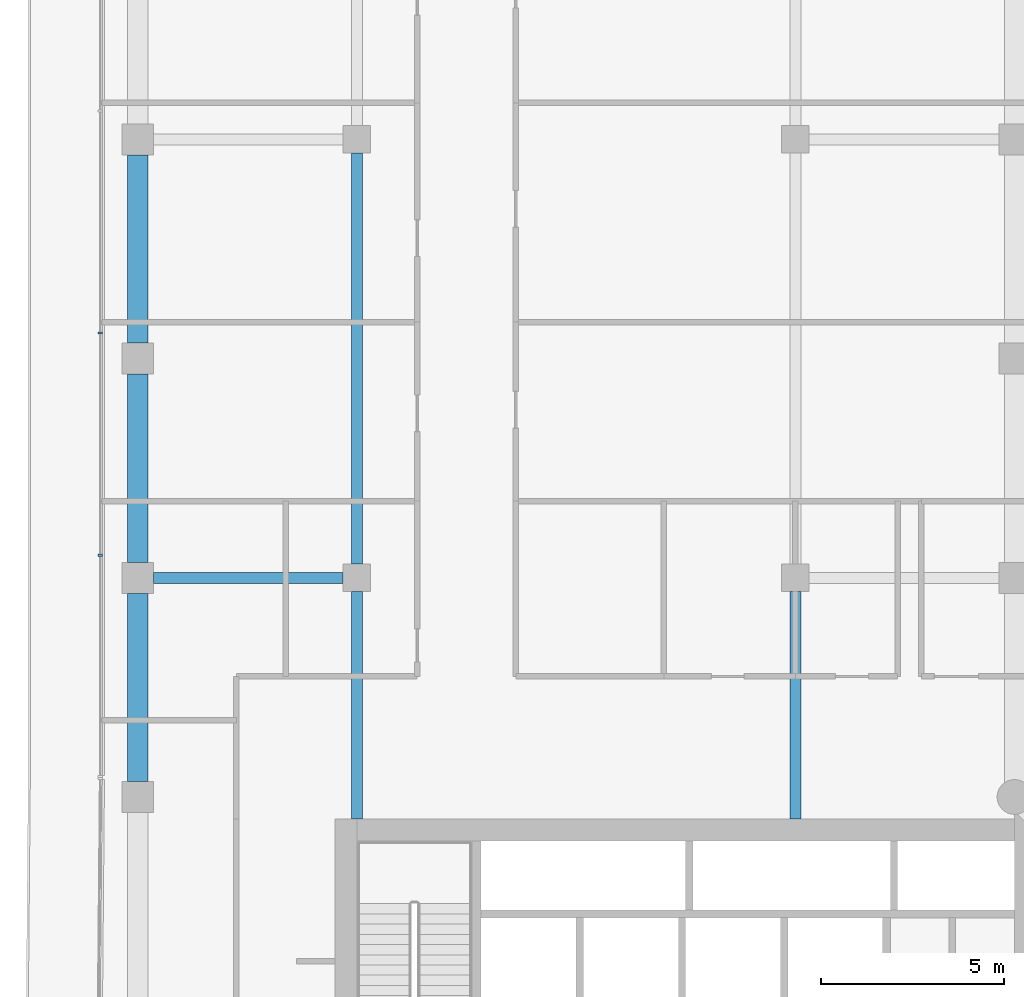
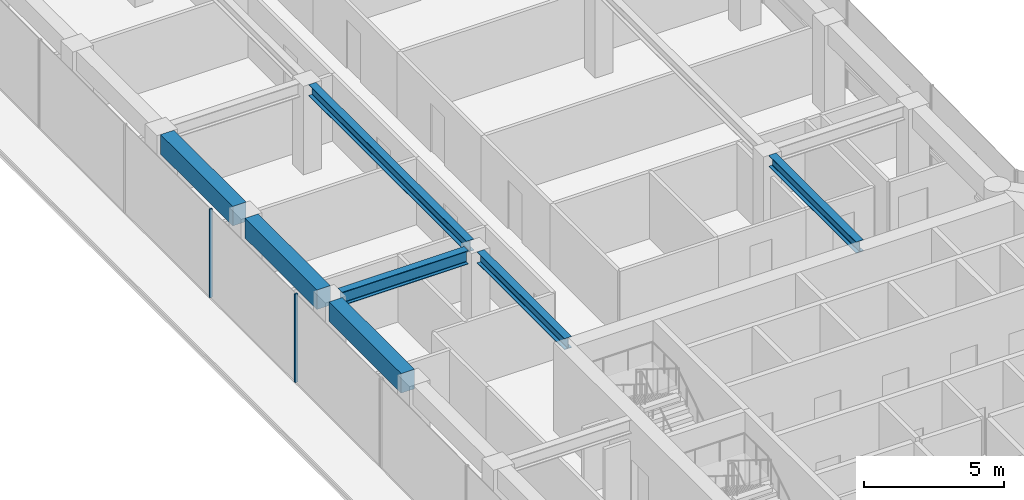
# One storey, part 7 of 19: 7 beams, 2 members, 1 element without a shape of its own.
"""IFC4 building model written with IfcOpenShell, lengths in metres."""

import ifcopenshell
import ifcopenshell.guid

model = None  # the IFC model being written
_history = None  # IfcOwnerHistory: only IFC2X3 demands one
_inside = {}  # id of a spatial element -> (the spatial element, [elements in it])
_under = {}  # id of a project, library or spatial element -> (it, [spatial elements below it])
_declared = {}  # id of a project -> (the project, [libraries it declares])
_typed = {}  # id of a type object -> (the type object, [elements of that type])
_made_of = {}  # id of a material, layer set ... -> (it, [elements and type objects made of it])


def new_model(schema):
    """Start an empty IFC model of exactly this schema.

    Asked for "IFC4X3", IfcOpenShell would pick the latest addendum, in which some entities
    have other attributes; the version numbers below select the first issue.
    IFC2X3 requires an IfcOwnerHistory on every rooted entity: one is made here for all.
    """
    global model, _history
    if schema == "IFC4X3":
        model = ifcopenshell.file(schema_version=(4, 3, 0, 0))
    else:
        model = ifcopenshell.file(schema=schema)
    _inside.clear()
    _under.clear()
    _declared.clear()
    _typed.clear()
    _made_of.clear()
    _history = None
    if model.schema == "IFC2X3":
        org = make("IfcOrganization", Name="unknown")
        user = make(
            "IfcPersonAndOrganization",
            ThePerson=make("IfcPerson", FamilyName="unknown"),
            TheOrganization=org,
        )
        app = make(
            "IfcApplication",
            ApplicationDeveloper=org,
            Version="unknown",
            ApplicationFullName="unknown",
            ApplicationIdentifier="unknown",
        )
        _history = make(
            "IfcOwnerHistory",
            OwningUser=user,
            OwningApplication=app,
            ChangeAction="ADDED",
            CreationDate=0,
        )
    return model


def make(cls, **values):
    """One entity of the class cls with the attributes given. An attribute that is None is left unset."""
    return model.create_entity(
        cls, **{name: value for name, value in values.items() if value is not None}
    )


def rooted(cls, **values):
    """An entity with a GlobalId (a new one), such as an element, a storey or a relation."""
    return make(cls, GlobalId=ifcopenshell.guid.new(), OwnerHistory=_history, **values)


def si_unit(unit_type, name, prefix=None):
    """IfcSIUnit, for example si_unit("LENGTHUNIT", "METRE", prefix="MILLI")."""
    return make("IfcSIUnit", UnitType=unit_type, Prefix=prefix, Name=name)


def assignment(units):
    """IfcUnitAssignment: the units of a project."""
    return None if units is None else make("IfcUnitAssignment", Units=units)


def point(xyz):
    """IfcCartesianPoint."""
    return None if xyz is None else make("IfcCartesianPoint", Coordinates=xyz)


def direction(xyz):
    """IfcDirection."""
    return None if xyz is None else make("IfcDirection", DirectionRatios=xyz)


def frame(location, z_axis=None, x_axis=None):
    """IfcAxis2Placement3D, a coordinate frame: its origin and axes. An axis left out is left unset."""
    return make(
        "IfcAxis2Placement3D",
        Location=point(location),
        Axis=direction(z_axis),
        RefDirection=direction(x_axis),
    )


def frame_2d(location, x_axis=None):
    """IfcAxis2Placement2D, a coordinate frame in the plane: its origin and x axis."""
    return make(
        "IfcAxis2Placement2D", Location=point(location), RefDirection=direction(x_axis)
    )


def origin():
    """The frame at (0, 0, 0) with its axes left unset."""
    return frame((0.0, 0.0, 0.0))


def origin_2d():
    """The frame at (0, 0) in the plane with its x axis left unset."""
    return frame_2d((0.0, 0.0))


def place(relative_to, where):
    """IfcLocalPlacement: puts the frame where relative to a parent placement (None: the world)."""
    return make(
        "IfcLocalPlacement", PlacementRelTo=relative_to, RelativePlacement=where
    )


def context(
    kind, dimensions, precision=None, world=None, true_north=None, identifier=None
):
    """IfcGeometricRepresentationContext, for example the 3D "Model" context."""
    return make(
        "IfcGeometricRepresentationContext",
        ContextIdentifier=identifier,
        ContextType=kind,
        CoordinateSpaceDimension=dimensions,
        Precision=precision,
        WorldCoordinateSystem=world,
        TrueNorth=true_north,
    )


def subcontext(parent, identifier, kind, view, scale=None):
    """IfcGeometricRepresentationSubContext, for example "Body" below "Model"."""
    return make(
        "IfcGeometricRepresentationSubContext",
        ContextIdentifier=identifier,
        ContextType=kind,
        ParentContext=parent,
        TargetScale=scale,
        TargetView=view,
    )


def project(units=None, contexts=None):
    """IfcProject with its units and contexts."""
    return rooted(
        "IfcProject",
        Name="project",
        RepresentationContexts=contexts,
        UnitsInContext=assignment(units),
    )


def spatial(cls, under=None, at=None, **own):
    """A site, building, storey or space (cls), placed at a placement, below another one or the project."""
    s = rooted(cls, ObjectPlacement=at, **own)
    if under is not None:
        _under.setdefault(under.id(), (under, []))[1].append(s)
    return s


def profile(cls, at=None, kind="AREA", **sizes):
    """A parametric profile (cls). Its sizes go by their IFC names, for example OverallWidth=200.0."""
    return make(cls, ProfileType=kind, Position=at, **sizes)


def rectangle(**sizes):
    """IfcRectangleProfileDef."""
    return profile("IfcRectangleProfileDef", **sizes)


def i_section(**sizes):
    """IfcIShapeProfileDef."""
    return profile("IfcIShapeProfileDef", **sizes)


def extrude(swept, where, along, depth):
    """IfcExtrudedAreaSolid: the profile swept, set in the frame where, extruded along a direction by depth."""
    return make(
        "IfcExtrudedAreaSolid",
        SweptArea=swept,
        Position=where,
        ExtrudedDirection=direction(along),
        Depth=depth,
    )


def shape(context_of_items, identifier, shape_type, items):
    """IfcShapeRepresentation: the items that make up one representation, for example the "Body"."""
    return make(
        "IfcShapeRepresentation",
        ContextOfItems=context_of_items,
        RepresentationIdentifier=identifier,
        RepresentationType=shape_type,
        Items=items,
    )


def material(Name=None, Category=None):
    """IfcMaterial."""
    return make("IfcMaterial", Name=Name, Category=Category)


def layer(
    of_material, thickness, ventilated=None, Name=None, Category=None, Priority=None
):
    """IfcMaterialLayer: one layer of a wall or slab, of a material (None: an air gap)."""
    return make(
        "IfcMaterialLayer",
        Material=of_material,
        LayerThickness=thickness,
        IsVentilated=ventilated,
        Name=Name,
        Category=Category,
        Priority=Priority,
    )


def layer_set(layers, Name=None):
    """IfcMaterialLayerSet."""
    return make("IfcMaterialLayerSet", MaterialLayers=layers, LayerSetName=Name)


def material_profile(
    of_material, cross_section, Name=None, Category=None, Priority=None
):
    """IfcMaterialProfile: a cross section and its material."""
    return make(
        "IfcMaterialProfile",
        Name=Name,
        Material=of_material,
        Profile=cross_section,
        Priority=Priority,
        Category=Category,
    )


def profile_set(profiles, Name=None, composite=None):
    """IfcMaterialProfileSet."""
    return make(
        "IfcMaterialProfileSet",
        Name=Name,
        MaterialProfiles=profiles,
        CompositeProfile=composite,
    )


def made_of(thing, what):
    """Note that an element or type object is made of a material, layer set ...; save() writes the relation."""
    if what is not None:
        _made_of.setdefault(what.id(), (what, []))[1].append(thing)
    return thing


def type_object(cls, material=None, **own):
    """A type object (cls), such as IfcWallType, which elements share."""
    return made_of(rooted(cls, **own), material)


def element(
    cls,
    number,
    at=None,
    inside=None,
    cuts=None,
    type_object=None,
    material=None,
    context=None,
    identifier="Body",
    shape_type=None,
    held_by="IfcProductDefinitionShape",
    body=None,
    shapes=None,
    **own,
):
    """One element of the class cls, such as IfcWall. Its Tag is "e" and its number.

    at: its placement. inside: the storey or other place that contains it. cuts: it is an
    opening in that element (IfcRelVoidsElement). A single representation is given by context,
    identifier, shape_type and body (its items); several are given by shapes. held_by: the class
    of the entity that holds the representations. save() writes the other relations.
    """
    e = rooted(cls, Tag="e%d" % number, ObjectPlacement=at, **own)
    if body is not None:
        shapes = [shape(context, identifier, shape_type, body)]
    if shapes is not None:
        e.Representation = make(held_by, Representations=shapes)
    if inside is not None:
        _inside.setdefault(inside.id(), (inside, []))[1].append(e)
    if cuts is not None:
        rooted(
            "IfcRelVoidsElement", RelatingBuildingElement=cuts, RelatedOpeningElement=e
        )
    if type_object is not None:
        _typed.setdefault(type_object.id(), (type_object, []))[1].append(e)
    return made_of(e, material)


def aggregate(whole, parts):
    """IfcRelAggregates: a whole, such as a stair, and the parts it consists of."""
    return rooted("IfcRelAggregates", RelatingObject=whole, RelatedObjects=parts)


def save(model, path):
    """Write the relations noted so far, then the file.

    IfcRelAggregates (storeys below a building ...), IfcRelContainedInSpatialStructure (elements
    in a storey), IfcRelDefinesByType, IfcRelAssociatesMaterial and IfcRelDeclares: one each for
    every whole, place, type object, material and project.
    """
    for whole, parts in _under.values():
        aggregate(whole, parts)
    for where, things in _inside.values():
        rooted(
            "IfcRelContainedInSpatialStructure",
            RelatedElements=things,
            RelatingStructure=where,
        )
    for kind, things in _typed.values():
        rooted("IfcRelDefinesByType", RelatedObjects=things, RelatingType=kind)
    for what, things in _made_of.values():
        rooted("IfcRelAssociatesMaterial", RelatedObjects=things, RelatingMaterial=what)
    for by, libraries in _declared.values():
        rooted("IfcRelDeclares", RelatingContext=by, RelatedDefinitions=libraries)
    model.write(path)


model = new_model("IFC4")

# Units and contexts
model_context = context("Model", 3, precision=1e-05, world=origin(), true_north=direction((0.0, 1.0)))
body_context = subcontext(model_context, "Body", "Model", "MODEL_VIEW")
ifc_project = project(units=[si_unit("LENGTHUNIT", "METRE"), si_unit("AREAUNIT", "SQUARE_METRE"), si_unit("VOLUMEUNIT", "CUBIC_METRE"), si_unit("PLANEANGLEUNIT", "RADIAN"), si_unit("MASSUNIT", "GRAM", prefix="KILO")], contexts=[model_context])

# Site, building, storey
site_placement = place(None, origin())
site = spatial("IfcSite", under=ifc_project, at=site_placement, CompositionType="ELEMENT")
building_placement = place(site_placement, origin())
building = spatial("IfcBuilding", under=site, at=building_placement, Name="Welwitschia Terrace Campus", CompositionType="ELEMENT")
storey_placement = place(building_placement, frame((0.0, 0.0, 167.60009765625)))
storey = spatial("IfcBuildingStorey", under=building, at=storey_placement, Name="L37", CompositionType="ELEMENT", Elevation=167.60009765625)

# Beams
ifc_material_1 = material(Name="Steel S355", Category="steel")
ifc_material_profile_1 = material_profile(ifc_material_1, i_section(OverallWidth=0.300048828125, OverallDepth=0.489990234375, WebThickness=0.011962890625, FlangeThickness=0.02294921875, FilletRadius=0.027099609375, at=origin_2d()))
ifc_profile_set_1 = profile_set([ifc_material_profile_1], Name="Steel S355")
beam_type_1 = type_object("IfcBeamType", Name="Interior girder HE 500 A", PredefinedType="BEAM", material=ifc_profile_set_1)
beam_1_placement = place(storey_placement, frame((6.0, 25.40087890625, 3.60498046875), z_axis=(0.0, 1.0, 0.0), x_axis=(-1.0, 0.0, 0.0)))
element("IfcBeam", 1, at=beam_1_placement, inside=storey, type_object=beam_type_1, Name="Girder GB4", PredefinedType="BEAM", context=body_context, shape_type="SweptSolid", body=[
    extrude(i_section(OverallWidth=0.300048828125, OverallDepth=0.489990234375, WebThickness=0.011962890625, FlangeThickness=0.02294921875, FilletRadius=0.027099609375, at=origin_2d()), origin(), (0.0, 0.0, 1.0), 6.2236328125),
])
beam_2_placement = place(storey_placement, frame((6.0, 32.37548828125, 3.60498046875), z_axis=(0.0, 1.0, 0.0), x_axis=(-1.0, 0.0, 0.0)))
element("IfcBeam", 2, at=beam_2_placement, inside=storey, type_object=beam_type_1, Name="Girder GB4", PredefinedType="BEAM", context=body_context, shape_type="SweptSolid", body=[
    extrude(i_section(OverallWidth=0.300048828125, OverallDepth=0.489990234375, WebThickness=0.011962890625, FlangeThickness=0.02294921875, FilletRadius=0.027099609375, at=origin_2d()), origin(), (0.0, 0.0, 1.0), 11.2490234375),
])
beam_3_placement = place(storey_placement, frame((18.0, 25.40087890625, 3.60498046875), z_axis=(0.0, 1.0, 0.0), x_axis=(-1.0, 0.0, 0.0)))
element("IfcBeam", 3, at=beam_3_placement, inside=storey, type_object=beam_type_1, Name="Girder GB4", PredefinedType="BEAM", context=body_context, shape_type="SweptSolid", body=[
    extrude(i_section(OverallWidth=0.300048828125, OverallDepth=0.489990234375, WebThickness=0.011962890625, FlangeThickness=0.02294921875, FilletRadius=0.027099609375, at=origin_2d()), origin(), (0.0, 0.0, 1.0), 6.2236328125),
])

# Curtain wall, members
ifc_material_2 = material(Name="Bronze anodised aluminium", Category="aluminium")
ifc_layer = layer(ifc_material_2, 0.1201171875)
ifc_layer_set = layer_set([ifc_layer], Name="Bronze anodised aluminium")
curtain_wall_type = type_object("IfcCurtainWallType", Name="Curtain wall CW2 tower 6000", PredefinedType="NOTDEFINED", material=ifc_layer_set)
curtain_wall_placement = place(storey_placement, origin())
curtain_wall = element("IfcCurtainWall", 4, at=curtain_wall_placement, inside=storey, type_object=curtain_wall_type, Name="CW L37.1.0", PredefinedType="NOTDEFINED")
ifc_material_3 = material(Name="Bronze anodised aluminium", Category="aluminium")
ifc_material_profile_2 = material_profile(ifc_material_3, rectangle(XDim=0.1201171875, YDim=0.06005859375, at=origin_2d()))
ifc_profile_set_2 = profile_set([ifc_material_profile_2], Name="Bronze anodised aluminium")
member_type = type_object("IfcMemberType", Name="Mullion 60x120", PredefinedType="MULLION", material=ifc_profile_set_2)
member_1_placement = place(storey_placement, frame((-1.030029296875, 38.69873046875, 0.0), z_axis=(0.0, 0.0, 1.0), x_axis=(1.0, 0.0, 0.0)))
member_1 = element("IfcMember", 5, at=member_1_placement, type_object=member_type, Name="Mullion L37.1.0.4", PredefinedType="MULLION", context=body_context, shape_type="SweptSolid", body=[
    extrude(rectangle(XDim=0.1201171875, YDim=0.06005859375, at=origin_2d()), origin(), (0.0, 0.0, 1.0), 3.849853515625),
])
member_2_placement = place(storey_placement, frame((-1.030029296875, 32.615966796875, 0.0), z_axis=(0.0, 0.0, 1.0), x_axis=(1.0, 0.0, 0.0)))
member_2 = element("IfcMember", 6, at=member_2_placement, type_object=member_type, Name="Mullion L37.1.0.5", PredefinedType="MULLION", context=body_context, shape_type="SweptSolid", body=[
    extrude(rectangle(XDim=0.1201171875, YDim=0.06005859375, at=origin_2d()), origin(), (0.0, 0.0, 1.0), 3.849853515625),
])
aggregate(curtain_wall, [member_1, member_2])

# Beams
ifc_material_4 = material(Name="Steel S355", Category="steel")
ifc_material_profile_3 = material_profile(ifc_material_4, i_section(OverallWidth=0.300048828125, OverallDepth=0.590087890625, WebThickness=0.012939453125, FlangeThickness=0.02490234375, FilletRadius=0.027099609375, at=origin_2d()))
ifc_profile_set_3 = profile_set([ifc_material_profile_3], Name="Steel S355")
beam_type_2 = type_object("IfcBeamType", Name="Primary beam HE 600 A", PredefinedType="BEAM", material=ifc_profile_set_3)
beam_4_placement = place(storey_placement, frame((0.425537109375, 32.0, 3.554931640625), z_axis=(1.0, 0.0, 0.0), x_axis=(0.0, 1.0, 0.0)))
element("IfcBeam", 7, at=beam_4_placement, inside=storey, type_object=beam_type_2, Name="Primary beam PB4", PredefinedType="BEAM", context=body_context, shape_type="SweptSolid", body=[
    extrude(i_section(OverallWidth=0.300048828125, OverallDepth=0.590087890625, WebThickness=0.012939453125, FlangeThickness=0.02490234375, FilletRadius=0.027099609375, at=origin_2d()), origin(), (0.0, 0.0, 1.0), 5.198974609375),
])
ifc_material_5 = material(Name="Concrete C50/60", Category="concrete")
ifc_material_profile_4 = material_profile(ifc_material_5, rectangle(XDim=0.550048828125, YDim=0.85009765625, at=origin_2d()))
ifc_profile_set_4 = profile_set([ifc_material_profile_4], Name="Concrete C50/60")
beam_type_3 = type_object("IfcBeamType", Name="Ring spandrel 550x850", PredefinedType="SPANDREL", material=ifc_profile_set_4)
for number, where, z_axis, x_axis, name in (
    (8, (0.0, 43.574462890625, 3.4248046875), (0.0, -1.0, 0.0), (1.0, 0.0, 0.0), "Spandrel SP3"),
    (9, (0.0, 37.574462890625, 3.4248046875), (0.0, -1.0, 0.0), (1.0, 0.0, 0.0), "Spandrel SP3"),
    (10, (0.0, 31.574462890625, 3.4248046875), (0.0, -1.0, 0.0), (1.0, 0.0, 0.0), "Spandrel SP3"),
):
    element("IfcBeam", number, at=place(storey_placement, frame(where, z_axis=z_axis, x_axis=x_axis)), inside=storey, type_object=beam_type_3, Name=name, PredefinedType="SPANDREL", context=body_context, shape_type="SweptSolid", body=[
        extrude(rectangle(XDim=0.550048828125, YDim=0.85009765625, at=origin_2d()), origin(), (0.0, 0.0, 1.0), 5.14892578125),
    ])

save(model, "model.ifc")
